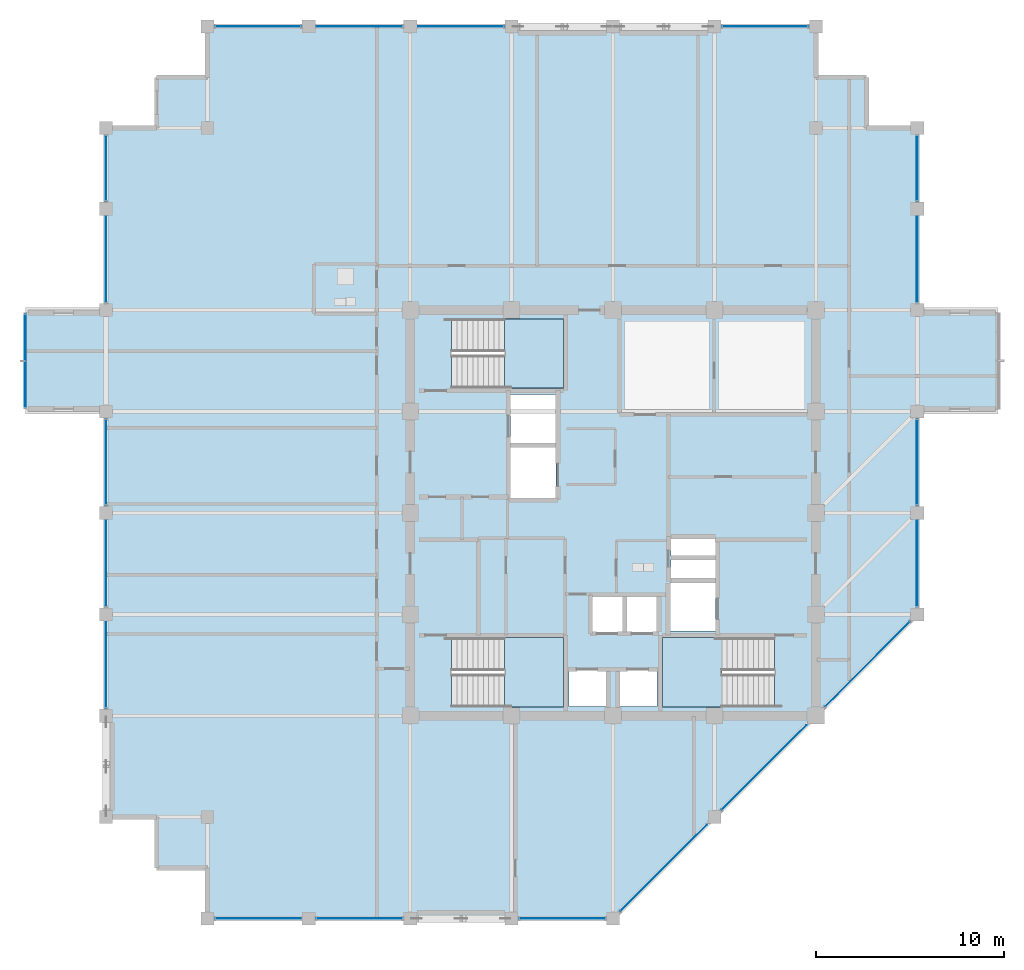
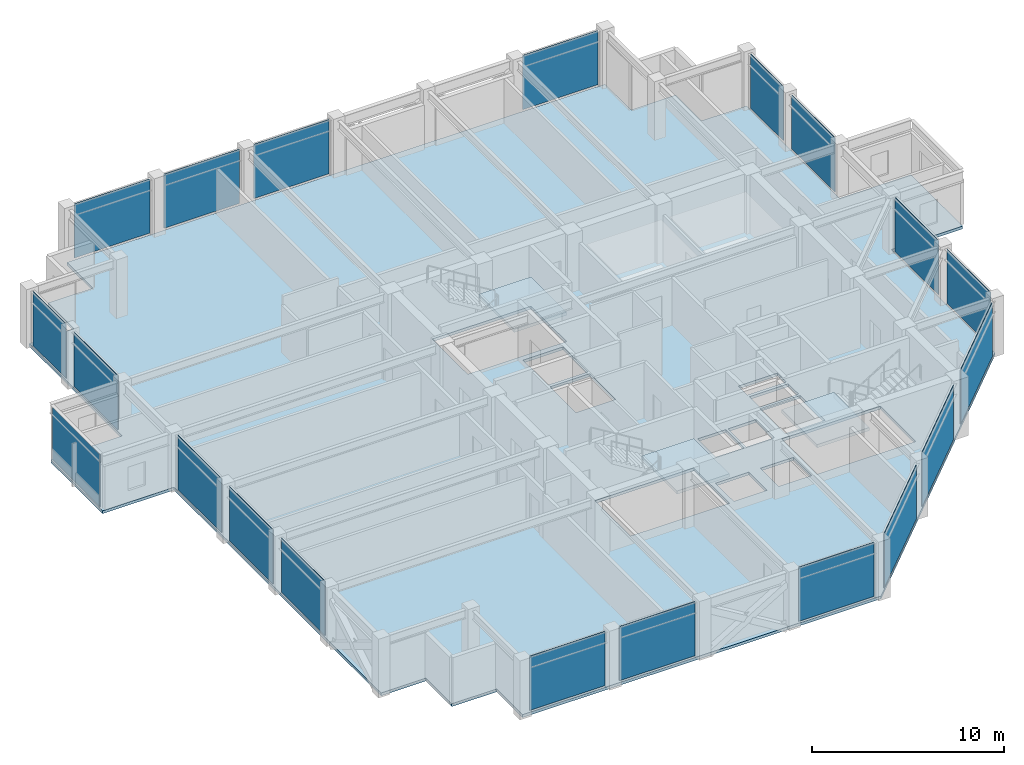
# One storey, part 22 of 31: 20 plates, 4 slabs, 13 elements without a shape of their own.
"""IFC4 building model written with IfcOpenShell, lengths in metres."""

from ifc_helpers import new_model, si_unit, direction, frame, frame_2d, origin, place, context, subcontext, project, spatial, polyline, rectangle, outline, extrude, material, layer, layer_set, type_object, element, aggregate, save


model = new_model("IFC4")

# Units and contexts
model_context = context("Model", 3, precision=1e-05, world=origin(), true_north=direction((0.0, 1.0)))
body_context = subcontext(model_context, "Body", "Model", "MODEL_VIEW")
ifc_project = project(units=[si_unit("LENGTHUNIT", "METRE"), si_unit("AREAUNIT", "SQUARE_METRE"), si_unit("VOLUMEUNIT", "CUBIC_METRE"), si_unit("PLANEANGLEUNIT", "RADIAN"), si_unit("MASSUNIT", "GRAM", prefix="KILO")], contexts=[model_context])

# Site, building, storey
site_placement = place(None, origin())
site = spatial("IfcSite", under=ifc_project, at=site_placement, CompositionType="ELEMENT")
building_placement = place(site_placement, origin())
building = spatial("IfcBuilding", under=site, at=building_placement, Name="Surkhivell Harbour Commons", CompositionType="ELEMENT")
storey_placement = place(building_placement, frame((0.0, 0.0, 266.25)))
storey = spatial("IfcBuildingStorey", under=building, at=storey_placement, Name="L69", CompositionType="ELEMENT", Elevation=266.25)

# Curtain wall, plate
ifc_material_1 = material(Name="Anodised pale-metal aluminium and insulated glazing", Category="aluminium")
ifc_layer_1 = layer(ifc_material_1, 0.1650390625)
ifc_layer_set_1 = layer_set([ifc_layer_1], Name="Anodised pale-metal aluminium and insulated glazing")
curtain_wall_type_1 = type_object("IfcCurtainWallType", Name="CW-SYS-BOX", PredefinedType="NOTDEFINED", material=ifc_layer_set_1)
curtain_wall_1_placement = place(storey_placement, origin())
curtain_wall_1 = element("IfcCurtainWall", 1, at=curtain_wall_1_placement, inside=storey, type_object=curtain_wall_type_1, Name="L69 Curtain Wall CW-L69-BOX02", PredefinedType="NOTDEFINED")
ifc_material_2 = material(Name="Triple-glazed bay-cluster vision glass", Category="glass")
ifc_layer_2 = layer(ifc_material_2, 0.028076171875)
ifc_layer_set_2 = layer_set([ifc_layer_2], Name="Triple-glazed bay-cluster vision glass")
plate_type_1 = type_object("IfcPlateType", Name="CWP-GLZ-28", PredefinedType="CURTAIN_PANEL", material=ifc_layer_set_2)
plate_1_placement = place(storey_placement, frame((-31.300048828125, 5.6201171875, 0.1298828125), z_axis=(0.0, 0.0, 1.0), x_axis=(0.0, 1.0, 0.0)))
plate_1 = element("IfcPlate", 2, at=plate_1_placement, type_object=plate_type_1, Name="CW-BOX panel 1.1", PredefinedType="CURTAIN_PANEL", context=body_context, shape_type="SweptSolid", body=[
    extrude(rectangle(XDim=4.9599609375, YDim=0.028076171875, at=frame_2d((2.47998046875, 0.0))), origin(), (0.0, 0.0, 1.0), 3.31005859375),
])
aggregate(curtain_wall_1, [plate_1])

# Curtain wall, plates
ifc_layer_3 = layer(ifc_material_1, 0.175048828125)
ifc_layer_set_3 = layer_set([ifc_layer_3], Name="Anodised pale-metal aluminium and insulated glazing")
curtain_wall_type_2 = type_object("IfcCurtainWallType", Name="CW-SYS-Z4", PredefinedType="NOTDEFINED", material=ifc_layer_set_3)
curtain_wall_2_placement = place(storey_placement, origin())
curtain_wall_2 = element("IfcCurtainWall", 3, at=curtain_wall_2_placement, inside=storey, type_object=curtain_wall_type_2, Name="L69 Curtain Wall CW-L69-E00S1", PredefinedType="NOTDEFINED")
ifc_material_3 = material(Name="Double-silver low-E laminated vision glass", Category="glass")
ifc_layer_4 = layer(ifc_material_3, 0.031982421875)
ifc_layer_set_4 = layer_set([ifc_layer_4], Name="Double-silver low-E laminated vision glass")
plate_type_2 = type_object("IfcPlateType", Name="CWP-GLZ-32", PredefinedType="CURTAIN_PANEL", material=ifc_layer_set_4)
plate_2_placement = place(storey_placement, frame((-21.173095703125, -21.60009765625, 0.1298828125), z_axis=(0.0, 0.0, 1.0), x_axis=(1.0, 0.0, 0.0)))
plate_2 = element("IfcPlate", 4, at=plate_2_placement, type_object=plate_type_2, Name="CW-Z4 panel 1.1", PredefinedType="CURTAIN_PANEL", context=body_context, shape_type="SweptSolid", body=[
    extrude(rectangle(XDim=4.546142578125, YDim=0.031982421875, at=frame_2d((2.27294921875, 0.0))), origin(), (0.0, 0.0, 1.0), 3.440185546875),
])
plate_3_placement = place(storey_placement, frame((-15.77294921875, -21.60009765625, 0.1298828125), z_axis=(0.0, 0.0, 1.0), x_axis=(1.0, 0.0, 0.0)))
plate_3 = element("IfcPlate", 5, at=plate_3_placement, type_object=plate_type_2, Name="CW-Z4 panel 2.1", PredefinedType="CURTAIN_PANEL", context=body_context, shape_type="SweptSolid", body=[
    extrude(rectangle(XDim=4.5458984375, YDim=0.031982421875, at=frame_2d((2.27294921875, 0.0))), origin(), (0.0, 0.0, 1.0), 3.440185546875),
])
aggregate(curtain_wall_2, [plate_2, plate_3])

# Curtain wall, plate
curtain_wall_3_placement = place(storey_placement, origin())
curtain_wall_3 = element("IfcCurtainWall", 6, at=curtain_wall_3_placement, inside=storey, type_object=curtain_wall_type_2, Name="L69 Curtain Wall CW-L69-E00S2", PredefinedType="NOTDEFINED")
plate_4_placement = place(storey_placement, frame((-4.972900390625, -21.60009765625, 0.1298828125), z_axis=(0.0, 0.0, 1.0), x_axis=(1.0, 0.0, 0.0)))
plate_4 = element("IfcPlate", 7, at=plate_4_placement, type_object=plate_type_2, Name="CW-Z4 panel 1.1", PredefinedType="CURTAIN_PANEL", context=body_context, shape_type="SweptSolid", body=[
    extrude(rectangle(XDim=4.5458984375, YDim=0.031982421875, at=frame_2d((2.27294921875, 0.0))), origin(), (0.0, 0.0, 1.0), 3.440185546875),
])
aggregate(curtain_wall_3, [plate_4])

# Curtain wall, plates
curtain_wall_4_placement = place(storey_placement, origin())
curtain_wall_4 = element("IfcCurtainWall", 8, at=curtain_wall_4_placement, inside=storey, type_object=curtain_wall_type_2, Name="L69 Curtain Wall CW-L69-E01", PredefinedType="NOTDEFINED")
plate_5_placement = place(storey_placement, frame((0.404541015625, -21.1953125, 0.1298828125), z_axis=(0.0, 0.0, 1.0), x_axis=(0.707125583467, 0.707087978406, 0.0)))
plate_5 = element("IfcPlate", 9, at=plate_5_placement, type_object=plate_type_2, Name="CW-Z4 panel 1.1", PredefinedType="CURTAIN_PANEL", context=body_context, shape_type="SweptSolid", body=[
    extrude(rectangle(XDim=6.4921875, YDim=0.031982421875, at=frame_2d((3.24609375, 0.0))), origin(), (0.0, 0.0, 1.0), 3.440185546875),
])
plate_6_placement = place(storey_placement, frame((5.8046875, -15.79541015625, 0.1298828125), z_axis=(0.0, 0.0, 1.0), x_axis=(0.707106781187, 0.707106781187, 0.0)))
plate_6 = element("IfcPlate", 10, at=plate_6_placement, type_object=plate_type_2, Name="CW-Z4 panel 2.1", PredefinedType="CURTAIN_PANEL", context=body_context, shape_type="SweptSolid", body=[
    extrude(rectangle(XDim=6.350830078125, YDim=0.031982421875, at=frame_2d((3.17529296875, 0.0))), origin(), (0.0, 0.0, 1.0), 3.440185546875),
])
plate_7_placement = place(storey_placement, frame((11.3046875, -10.29541015625, 0.1298828125), z_axis=(0.0, 0.0, 1.0), x_axis=(0.707106781187, 0.707106781187, 0.0)))
plate_7 = element("IfcPlate", 11, at=plate_7_placement, type_object=plate_type_2, Name="CW-Z4 panel 3.1", PredefinedType="CURTAIN_PANEL", context=body_context, shape_type="SweptSolid", body=[
    extrude(rectangle(XDim=6.350830078125, YDim=0.031982421875, at=frame_2d((3.17529296875, 0.0))), origin(), (0.0, 0.0, 1.0), 3.440185546875),
])
aggregate(curtain_wall_4, [plate_5, plate_6, plate_7])

curtain_wall_5_placement = place(storey_placement, origin())
curtain_wall_5 = element("IfcCurtainWall", 12, at=curtain_wall_5_placement, inside=storey, type_object=curtain_wall_type_2, Name="L69 Curtain Wall CW-L69-E02R1", PredefinedType="NOTDEFINED")
plate_8_placement = place(storey_placement, frame((16.199951171875, -4.972900390625, 0.1298828125), z_axis=(0.0, 0.0, 1.0), x_axis=(0.0, 1.0, 0.0)))
plate_8 = element("IfcPlate", 13, at=plate_8_placement, type_object=plate_type_2, Name="CW-Z4 panel 1.1", PredefinedType="CURTAIN_PANEL", context=body_context, shape_type="SweptSolid", body=[
    extrude(rectangle(XDim=4.5458984375, YDim=0.031982421875, at=frame_2d((2.27294921875, 0.0))), origin(), (0.0, 0.0, 1.0), 3.440185546875),
])
plate_9_placement = place(storey_placement, frame((16.199951171875, 0.427001953125, 0.1298828125), z_axis=(0.0, 0.0, 1.0), x_axis=(0.0, 1.0, 0.0)))
plate_9 = element("IfcPlate", 14, at=plate_9_placement, type_object=plate_type_2, Name="CW-Z4 panel 2.1", PredefinedType="CURTAIN_PANEL", context=body_context, shape_type="SweptSolid", body=[
    extrude(rectangle(XDim=4.5458984375, YDim=0.031982421875, at=frame_2d((2.27294921875, 0.0))), origin(), (0.0, 0.0, 1.0), 3.440185546875),
])
aggregate(curtain_wall_5, [plate_8, plate_9])

curtain_wall_6_placement = place(storey_placement, origin())
curtain_wall_6 = element("IfcCurtainWall", 15, at=curtain_wall_6_placement, inside=storey, type_object=curtain_wall_type_2, Name="L69 Curtain Wall CW-L69-E02R2", PredefinedType="NOTDEFINED")
plate_10_placement = place(storey_placement, frame((16.199951171875, 11.22705078125, 0.1298828125), z_axis=(0.0, 0.0, 1.0), x_axis=(0.0, 1.0, 0.0)))
plate_10 = element("IfcPlate", 16, at=plate_10_placement, type_object=plate_type_2, Name="CW-Z4 panel 1.1", PredefinedType="CURTAIN_PANEL", context=body_context, shape_type="SweptSolid", body=[
    extrude(rectangle(XDim=4.5458984375, YDim=0.031982421875, at=frame_2d((2.27294921875, 0.0))), origin(), (0.0, 0.0, 1.0), 3.440185546875),
])
plate_11_placement = place(storey_placement, frame((16.199951171875, 16.626953125, 0.1298828125), z_axis=(0.0, 0.0, 1.0), x_axis=(0.0, 1.0, 0.0)))
plate_11 = element("IfcPlate", 17, at=plate_11_placement, type_object=plate_type_2, Name="CW-Z4 panel 2.1", PredefinedType="CURTAIN_PANEL", context=body_context, shape_type="SweptSolid", body=[
    extrude(rectangle(XDim=3.446044921875, YDim=0.031982421875, at=frame_2d((1.72314453125, 0.0))), origin(), (0.0, 0.0, 1.0), 3.440185546875),
])
aggregate(curtain_wall_6, [plate_10, plate_11])

# Curtain wall, plate
curtain_wall_7_placement = place(storey_placement, origin())
curtain_wall_7 = element("IfcCurtainWall", 18, at=curtain_wall_7_placement, inside=storey, type_object=curtain_wall_type_2, Name="L69 Curtain Wall CW-L69-E07S1", PredefinedType="NOTDEFINED")
plate_12_placement = place(storey_placement, frame((10.373046875, 25.89990234375, 0.1298828125), z_axis=(0.0, 0.0, 1.0), x_axis=(-1.0, 0.0, 0.0)))
plate_12 = element("IfcPlate", 19, at=plate_12_placement, type_object=plate_type_2, Name="CW-Z4 panel 1.1", PredefinedType="CURTAIN_PANEL", context=body_context, shape_type="SweptSolid", body=[
    extrude(rectangle(XDim=4.546142578125, YDim=0.031982421875, at=frame_2d((2.27294921875, 0.0))), origin(), (0.0, 0.0, 1.0), 3.440185546875),
])
aggregate(curtain_wall_7, [plate_12])

# Curtain wall, plates
curtain_wall_8_placement = place(storey_placement, origin())
curtain_wall_8 = element("IfcCurtainWall", 20, at=curtain_wall_8_placement, inside=storey, type_object=curtain_wall_type_2, Name="L69 Curtain Wall CW-L69-E07S2", PredefinedType="NOTDEFINED")
plate_13_placement = place(storey_placement, frame((-5.826904296875, 25.89990234375, 0.1298828125), z_axis=(0.0, 0.0, 1.0), x_axis=(-1.0, 0.0, 0.0)))
plate_13 = element("IfcPlate", 21, at=plate_13_placement, type_object=plate_type_2, Name="CW-Z4 panel 1.1", PredefinedType="CURTAIN_PANEL", context=body_context, shape_type="SweptSolid", body=[
    extrude(rectangle(XDim=4.546142578125, YDim=0.031982421875, at=frame_2d((2.27294921875, 0.0))), origin(), (0.0, 0.0, 1.0), 3.440185546875),
])
plate_14_placement = place(storey_placement, frame((-11.22705078125, 25.89990234375, 0.1298828125), z_axis=(0.0, 0.0, 1.0), x_axis=(-1.0, 0.0, 0.0)))
plate_14 = element("IfcPlate", 22, at=plate_14_placement, type_object=plate_type_2, Name="CW-Z4 panel 2.1", PredefinedType="CURTAIN_PANEL", context=body_context, shape_type="SweptSolid", body=[
    extrude(rectangle(XDim=4.5458984375, YDim=0.031982421875, at=frame_2d((2.27294921875, 0.0))), origin(), (0.0, 0.0, 1.0), 3.440185546875),
])
plate_15_placement = place(storey_placement, frame((-16.626953125, 25.89990234375, 0.1298828125), z_axis=(0.0, 0.0, 1.0), x_axis=(-1.0, 0.0, 0.0)))
plate_15 = element("IfcPlate", 23, at=plate_15_placement, type_object=plate_type_2, Name="CW-Z4 panel 3.1", PredefinedType="CURTAIN_PANEL", context=body_context, shape_type="SweptSolid", body=[
    extrude(rectangle(XDim=4.546142578125, YDim=0.031982421875, at=frame_2d((2.27294921875, 0.0))), origin(), (0.0, 0.0, 1.0), 3.440185546875),
])
aggregate(curtain_wall_8, [plate_13, plate_14, plate_15])

curtain_wall_9_placement = place(storey_placement, origin())
curtain_wall_9 = element("IfcCurtainWall", 24, at=curtain_wall_9_placement, inside=storey, type_object=curtain_wall_type_2, Name="L69 Curtain Wall CW-L69-E12R1S1", PredefinedType="NOTDEFINED")
plate_16_placement = place(storey_placement, frame((-27.0, -10.373046875, 0.1298828125), z_axis=(0.0, 0.0, 1.0), x_axis=(0.0, 1.0, 0.0)))
plate_16 = element("IfcPlate", 25, at=plate_16_placement, type_object=plate_type_2, Name="CW-Z4 panel 1.1", PredefinedType="CURTAIN_PANEL", context=body_context, shape_type="SweptSolid", body=[
    extrude(rectangle(XDim=4.546142578125, YDim=0.031982421875, at=frame_2d((2.27294921875, 0.0))), origin(), (0.0, 0.0, 1.0), 3.440185546875),
])
plate_17_placement = place(storey_placement, frame((-27.0, -4.972900390625, 0.1298828125), z_axis=(0.0, 0.0, 1.0), x_axis=(0.0, 1.0, 0.0)))
plate_17 = element("IfcPlate", 26, at=plate_17_placement, type_object=plate_type_2, Name="CW-Z4 panel 2.1", PredefinedType="CURTAIN_PANEL", context=body_context, shape_type="SweptSolid", body=[
    extrude(rectangle(XDim=4.5458984375, YDim=0.031982421875, at=frame_2d((2.27294921875, 0.0))), origin(), (0.0, 0.0, 1.0), 3.440185546875),
])
plate_18_placement = place(storey_placement, frame((-27.0, 0.427001953125, 0.1298828125), z_axis=(0.0, 0.0, 1.0), x_axis=(0.0, 1.0, 0.0)))
plate_18 = element("IfcPlate", 27, at=plate_18_placement, type_object=plate_type_2, Name="CW-Z4 panel 3.1", PredefinedType="CURTAIN_PANEL", context=body_context, shape_type="SweptSolid", body=[
    extrude(rectangle(XDim=4.5458984375, YDim=0.031982421875, at=frame_2d((2.27294921875, 0.0))), origin(), (0.0, 0.0, 1.0), 3.440185546875),
])
aggregate(curtain_wall_9, [plate_16, plate_17, plate_18])

curtain_wall_10_placement = place(storey_placement, origin())
curtain_wall_10 = element("IfcCurtainWall", 28, at=curtain_wall_10_placement, inside=storey, type_object=curtain_wall_type_2, Name="L69 Curtain Wall CW-L69-E12R2", PredefinedType="NOTDEFINED")
plate_19_placement = place(storey_placement, frame((-27.0, 11.22705078125, 0.1298828125), z_axis=(0.0, 0.0, 1.0), x_axis=(0.0, 1.0, 0.0)))
plate_19 = element("IfcPlate", 29, at=plate_19_placement, type_object=plate_type_2, Name="CW-Z4 panel 1.1", PredefinedType="CURTAIN_PANEL", context=body_context, shape_type="SweptSolid", body=[
    extrude(rectangle(XDim=4.5458984375, YDim=0.031982421875, at=frame_2d((2.27294921875, 0.0))), origin(), (0.0, 0.0, 1.0), 3.440185546875),
])
plate_20_placement = place(storey_placement, frame((-27.0, 16.626953125, 0.1298828125), z_axis=(0.0, 0.0, 1.0), x_axis=(0.0, 1.0, 0.0)))
plate_20 = element("IfcPlate", 30, at=plate_20_placement, type_object=plate_type_2, Name="CW-Z4 panel 2.1", PredefinedType="CURTAIN_PANEL", context=body_context, shape_type="SweptSolid", body=[
    extrude(rectangle(XDim=3.446044921875, YDim=0.031982421875, at=frame_2d((1.72314453125, 0.0))), origin(), (0.0, 0.0, 1.0), 3.440185546875),
])
aggregate(curtain_wall_10, [plate_19, plate_20])

# Stair, slab
ifc_material_4 = material(Name="Precast concrete C45/55", Category="concrete")
stair_type = type_object("IfcStairType", Name="STR-DL-375", PredefinedType="HALF_TURN_STAIR", material=ifc_material_4)
stair_1_placement = place(storey_placement, origin())
stair_1 = element("IfcStair", 31, at=stair_1_placement, inside=storey, type_object=stair_type, Name="L69 Core Exit Stair ST1", PredefinedType="HALF_TURN_STAIR")
ifc_material_5 = material(Name="Reinforced concrete C45/55", Category="concrete")
ifc_layer_5 = layer(ifc_material_5, 0.199951171875)
ifc_layer_set_5 = layer_set([ifc_layer_5], Name="Reinforced concrete C45/55")
slab_type_1 = type_object("IfcSlabType", Name="SLB-ST-LND200", PredefinedType="LANDING", material=ifc_layer_set_5)
slab_1_placement = place(storey_placement, frame((0.0, 0.0, 1.675048828125)))
slab_1 = element("IfcSlab", 32, at=slab_1_placement, type_object=slab_type_1, Name="ST1 landing 1", PredefinedType="LANDING", context=body_context, shape_type="SweptSolid", body=[
    extrude(outline(polyline([(-5.7900390625, 6.639892578125), (-2.639892578125, 6.639892578125), (-2.639892578125, 10.340087890625), (-5.7900390625, 10.340087890625), (-5.7900390625, 6.639892578125)])), origin(), (0.0, 0.0, 1.0), 0.199951171875),
])
aggregate(stair_1, [slab_1])

stair_2_placement = place(storey_placement, origin())
stair_2 = element("IfcStair", 33, at=stair_2_placement, inside=storey, type_object=stair_type, Name="L69 Core Exit Stair ST2", PredefinedType="HALF_TURN_STAIR")
slab_2_placement = place(storey_placement, frame((0.0, 0.0, 1.675048828125)))
slab_2 = element("IfcSlab", 34, at=slab_2_placement, type_object=slab_type_1, Name="ST2 landing 1", PredefinedType="LANDING", context=body_context, shape_type="SweptSolid", body=[
    extrude(outline(polyline([(5.7900390625, -6.639892578125), (2.639892578125, -6.639892578125), (2.639892578125, -10.340087890625), (5.7900390625, -10.340087890625), (5.7900390625, -6.639892578125)])), origin(), (0.0, 0.0, 1.0), 0.199951171875),
])
aggregate(stair_2, [slab_2])

stair_3_placement = place(storey_placement, origin())
stair_3 = element("IfcStair", 35, at=stair_3_placement, inside=storey, type_object=stair_type, Name="L69 Core Exit Stair ST3", PredefinedType="HALF_TURN_STAIR")
slab_3_placement = place(storey_placement, frame((0.0, 0.0, 1.675048828125)))
slab_3 = element("IfcSlab", 36, at=slab_3_placement, type_object=slab_type_1, Name="ST3 landing 1", PredefinedType="LANDING", context=body_context, shape_type="SweptSolid", body=[
    extrude(outline(polyline([(-5.7900390625, -10.340087890625), (-2.639892578125, -10.340087890625), (-2.639892578125, -6.639892578125), (-5.7900390625, -6.639892578125), (-5.7900390625, -10.340087890625)])), origin(), (0.0, 0.0, 1.0), 0.199951171875),
])
aggregate(stair_3, [slab_3])

# Slab
ifc_material_6 = material(Name="Concrete C45/55", Category="concrete")
ifc_layer_6 = layer(ifc_material_6, 0.179931640625)
ifc_layer_set_6 = layer_set([ifc_layer_6], Name="Concrete C45/55")
slab_type_2 = type_object("IfcSlabType", Name="SLB-TYP-180", PredefinedType="FLOOR", material=ifc_layer_set_6)
slab_4_placement = place(storey_placement, frame((0.0, 0.0, -0.179931640625)))
element("IfcSlab", 37, at=slab_4_placement, inside=storey, type_object=slab_type_2, Name="L69 Structural Floor Slab", PredefinedType="FLOOR", context=body_context, shape_type="SweptSolid", body=[
    extrude(outline(polyline([(-27.0, 20.5), (-27.0, 10.800048828125), (-31.300048828125, 10.800048828125), (-31.300048828125, 5.39990234375), (-27.0, 5.39990234375), (-27.0, -16.199951171875), (-24.300048828125, -16.199951171875), (-24.300048828125, -18.89990234375), (-21.60009765625, -18.89990234375), (-21.60009765625, -21.60009765625), (0.0, -21.60009765625), (16.199951171875, -5.39990234375), (16.199951171875, 5.39990234375), (20.5, 5.39990234375), (20.5, 10.800048828125), (16.199951171875, 10.800048828125), (16.199951171875, 20.5), (13.5, 20.5), (13.5, 23.199951171875), (10.800048828125, 23.199951171875), (10.800048828125, 25.89990234375), (-21.60009765625, 25.89990234375), (-21.60009765625, 23.199951171875), (-24.300048828125, 23.199951171875), (-24.300048828125, 20.5), (-27.0, 20.5)]), holes=[polyline([(-8.590087890625, 6.639892578125), (-2.639892578125, 6.639892578125), (-2.639892578125, 10.340087890625), (-8.590087890625, 10.340087890625), (-8.590087890625, 6.639892578125)]), polyline([(8.590087890625, -6.639892578125), (2.639892578125, -6.639892578125), (2.639892578125, -10.340087890625), (8.590087890625, -10.340087890625), (8.590087890625, -6.639892578125)]), polyline([(-8.590087890625, -10.340087890625), (-2.639892578125, -10.340087890625), (-2.639892578125, -6.639892578125), (-8.590087890625, -6.639892578125), (-8.590087890625, -10.340087890625)]), polyline([(-1.14990234375, -6.35009765625), (0.550048828125, -6.35009765625), (0.550048828125, -4.449951171875), (-1.14990234375, -4.449951171875), (-1.14990234375, -6.35009765625)]), polyline([(0.679931640625, -6.35009765625), (2.3798828125, -6.35009765625), (2.3798828125, -4.449951171875), (0.679931640625, -4.449951171875), (0.679931640625, -6.35009765625)]), polyline([(-2.35009765625, -10.300048828125), (-0.35009765625, -10.300048828125), (-0.35009765625, -8.39990234375), (-2.35009765625, -8.39990234375), (-2.35009765625, -10.300048828125)]), polyline([(0.35009765625, -10.300048828125), (2.35009765625, -10.300048828125), (2.35009765625, -8.39990234375), (0.35009765625, -8.39990234375), (0.35009765625, -10.300048828125)]), polyline([(-5.449951171875, 3.699951171875), (-3.050048828125, 3.699951171875), (-3.050048828125, 6.300048828125), (-5.449951171875, 6.300048828125), (-5.449951171875, 3.699951171875)]), polyline([(3.050048828125, -6.300048828125), (5.449951171875, -6.300048828125), (5.449951171875, -3.699951171875), (3.050048828125, -3.699951171875), (3.050048828125, -6.300048828125)]), polyline([(-5.449951171875, 0.800048828125), (-3.050048828125, 0.800048828125), (-3.050048828125, 3.5), (-5.449951171875, 3.5), (-5.449951171875, 0.800048828125)]), polyline([(3.10009765625, -3.550048828125), (5.449951171875, -3.550048828125), (5.449951171875, -2.47998046875), (3.10009765625, -2.47998046875), (3.10009765625, -3.550048828125)]), polyline([(3.10009765625, -2.280029296875), (5.449951171875, -2.280029296875), (5.449951171875, -1.35009765625), (3.10009765625, -1.35009765625), (3.10009765625, -2.280029296875)])]), origin(), (0.0, 0.0, 1.0), 0.179931640625),
])

save(model, "model.ifc")
